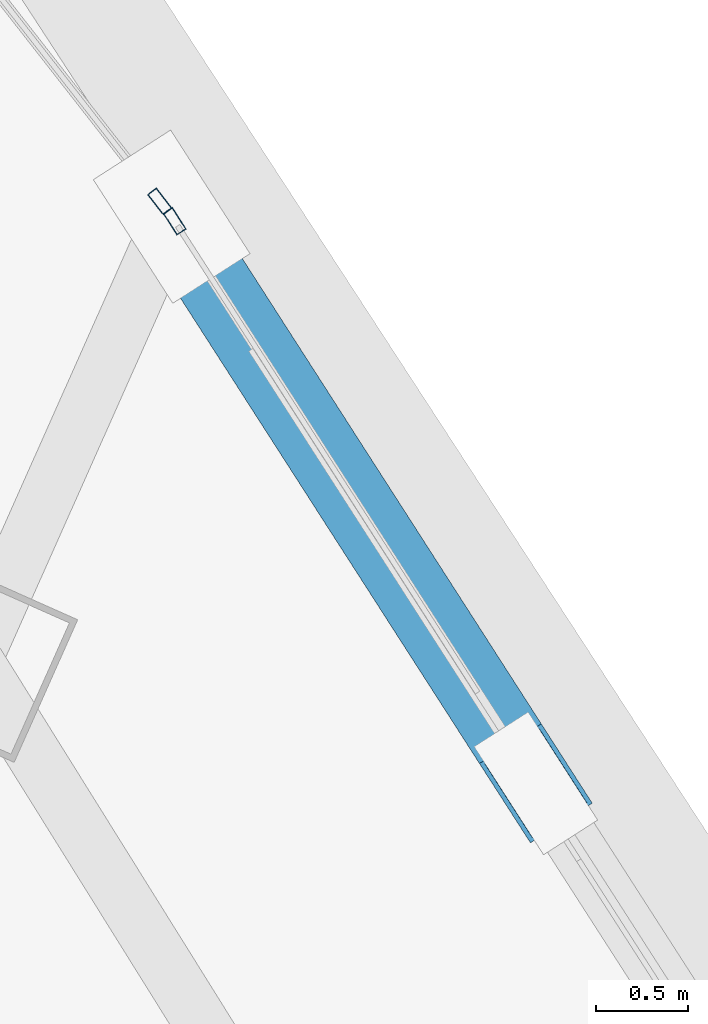
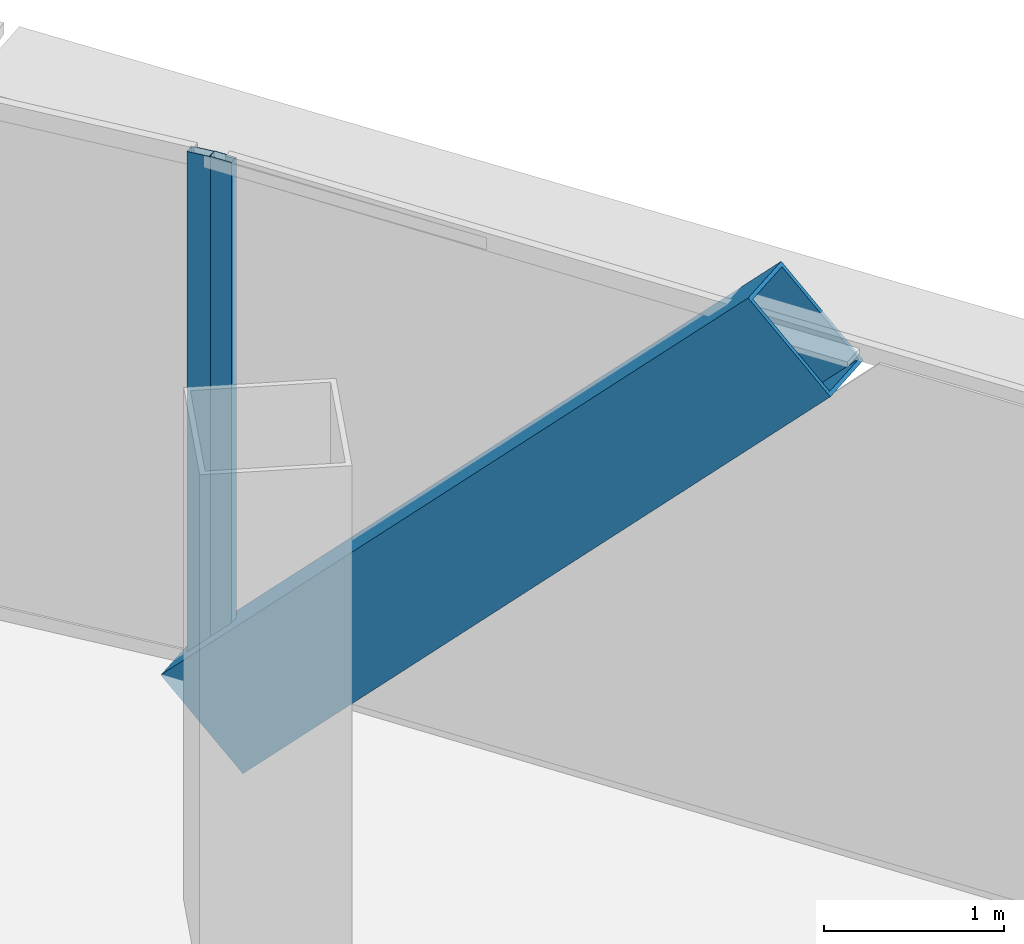
# One storey, part 25 of 37: 3 members, 2 elements without a shape of their own.
"""IFC4 building model written with IfcOpenShell, lengths in metres."""

from ifc_helpers import new_model, si_unit, direction, frame, origin, origin_2d, place, context, subcontext, project, spatial, hollow_rectangle, extrude, source, transform, mapped, material, layer, layer_set, material_profile, profile_set, type_object, element, aggregate, save


model = new_model("IFC4")

# Units and contexts
model_context = context("Model", 3, precision=1e-05, world=origin(), true_north=direction((0.0, 1.0)))
body_context = subcontext(model_context, "Body", "Model", "MODEL_VIEW")
ifc_project = project(units=[si_unit("LENGTHUNIT", "METRE"), si_unit("AREAUNIT", "SQUARE_METRE"), si_unit("VOLUMEUNIT", "CUBIC_METRE"), si_unit("PLANEANGLEUNIT", "RADIAN"), si_unit("MASSUNIT", "GRAM", prefix="KILO"), si_unit("THERMODYNAMICTEMPERATUREUNIT", "KELVIN"), si_unit("POWERUNIT", "WATT")], contexts=[model_context])

# Site, building, storey
site_placement = place(None, origin())
site = spatial("IfcSite", under=ifc_project, at=site_placement, CompositionType="ELEMENT")
building_placement = place(site_placement, origin())
building = spatial("IfcBuilding", under=site, at=building_placement, Name="Yunzhuo Pagoda Commons", CompositionType="ELEMENT")
storey_placement = place(building_placement, frame((0.0, 0.0, 240.800048828125)))
storey = spatial("IfcBuildingStorey", under=building, at=storey_placement, Name="L60", CompositionType="ELEMENT", Elevation=240.800048828125)

# Member
ifc_material_1 = material(Name="Structural steel Q355B", Category="steel")
ifc_material_profile_1 = material_profile(ifc_material_1, hollow_rectangle(XDim=0.39990234375, YDim=0.719970703125, WallThickness=0.02392578125, at=origin_2d()), Name="Structural steel Q355B")
ifc_profile_set_1 = profile_set([ifc_material_profile_1], Name="Structural steel Q355B")
member_type_1 = type_object("IfcMemberType", Name="M-DL2 Brace BOX 720x400x24", PredefinedType="BRACE", material=ifc_profile_set_1)
shared_shape_1 = source(origin(), body_context, "Body", "SweptSolid", [
    extrude(hollow_rectangle(XDim=0.39990234375, YDim=0.719970703125, WallThickness=0.02392578125, at=origin_2d()), origin(), (0.0, 0.0, 1.0), 5.2314453125),
])
member_1_placement = place(storey_placement, frame((62.480224609375, 66.222412109375, -0.260009765625), z_axis=(0.37899686702, -0.589846250748, 0.713051733933), x_axis=(0.841301728988, 0.540565815421, 0.0)))
element("IfcMember", 1, at=member_1_placement, inside=storey, type_object=member_type_1, Name="L60 facade diamond brace F2.3R", PredefinedType="BRACE", context=body_context, shape_type="MappedRepresentation", body=[
    mapped(shared_shape_1, transform((0.0, 0.0, 0.0), scale=1.0)),
])

# Curtain wall, member
ifc_material_2 = material(Name="Anodized aluminium 6063-T6", Category="aluminium")
ifc_layer = layer(ifc_material_2, 0.139892578125)
ifc_layer_set = layer_set([ifc_layer], Name="Anodized aluminium 6063-T6")
curtain_wall_type = type_object("IfcCurtainWallType", Name="CW-HI High-Zone Ribbon Curtain Wall", PredefinedType="NOTDEFINED", material=ifc_layer_set)
curtain_wall_1_placement = place(storey_placement, origin())
curtain_wall_1 = element("IfcCurtainWall", 2, at=curtain_wall_1_placement, inside=storey, type_object=curtain_wall_type, Name="L60 curtain wall CW-L60-F2B4", PredefinedType="NOTDEFINED")
ifc_material_profile_2 = material_profile(ifc_material_2, hollow_rectangle(XDim=0.06005859375, YDim=0.139892578125, WallThickness=0.00341796875, at=origin_2d()), Name="Anodized aluminium 6063-T6")
ifc_profile_set_2 = profile_set([ifc_material_profile_2], Name="Anodized aluminium 6063-T6")
member_type_2 = type_object("IfcMemberType", Name="CW-HI-M Mullion RHS 140x60x3.5", PredefinedType="MULLION", material=ifc_profile_set_2)
shared_shape_2 = source(origin(), body_context, "Body", "SweptSolid", [
    extrude(hollow_rectangle(XDim=0.06005859375, YDim=0.139892578125, WallThickness=0.00341796875, at=origin_2d()), origin(), (0.0, 0.0, 1.0), 3.47021484375),
])
member_2_placement = place(storey_placement, frame((62.49609375, 66.197265625, 0.0), z_axis=(0.0, 0.0, 1.0), x_axis=(-0.841269037614, -0.540616690782, 0.0)))
member_2 = element("IfcMember", 3, at=member_2_placement, type_object=member_type_2, Name="CW mullion 2", PredefinedType="MULLION", context=body_context, shape_type="MappedRepresentation", body=[
    mapped(shared_shape_2, transform((0.0, 0.0, 0.0), scale=1.0)),
])
aggregate(curtain_wall_1, [member_2])

curtain_wall_2_placement = place(storey_placement, origin())
curtain_wall_2 = element("IfcCurtainWall", 4, at=curtain_wall_2_placement, inside=storey, type_object=curtain_wall_type, Name="L60 curtain wall CW-L60-F2B5", PredefinedType="NOTDEFINED")
member_3_placement = place(storey_placement, frame((62.415283203125, 66.30517578125, 0.0), z_axis=(0.0, 0.0, 1.0), x_axis=(-0.787911077131, -0.615789034114, 0.0)))
member_3 = element("IfcMember", 5, at=member_3_placement, type_object=member_type_2, Name="CW mullion 1", PredefinedType="MULLION", context=body_context, shape_type="MappedRepresentation", body=[
    mapped(shared_shape_2, transform((0.0, 0.0, 0.0), scale=1.0)),
])
aggregate(curtain_wall_2, [member_3])

save(model, "model.ifc")
